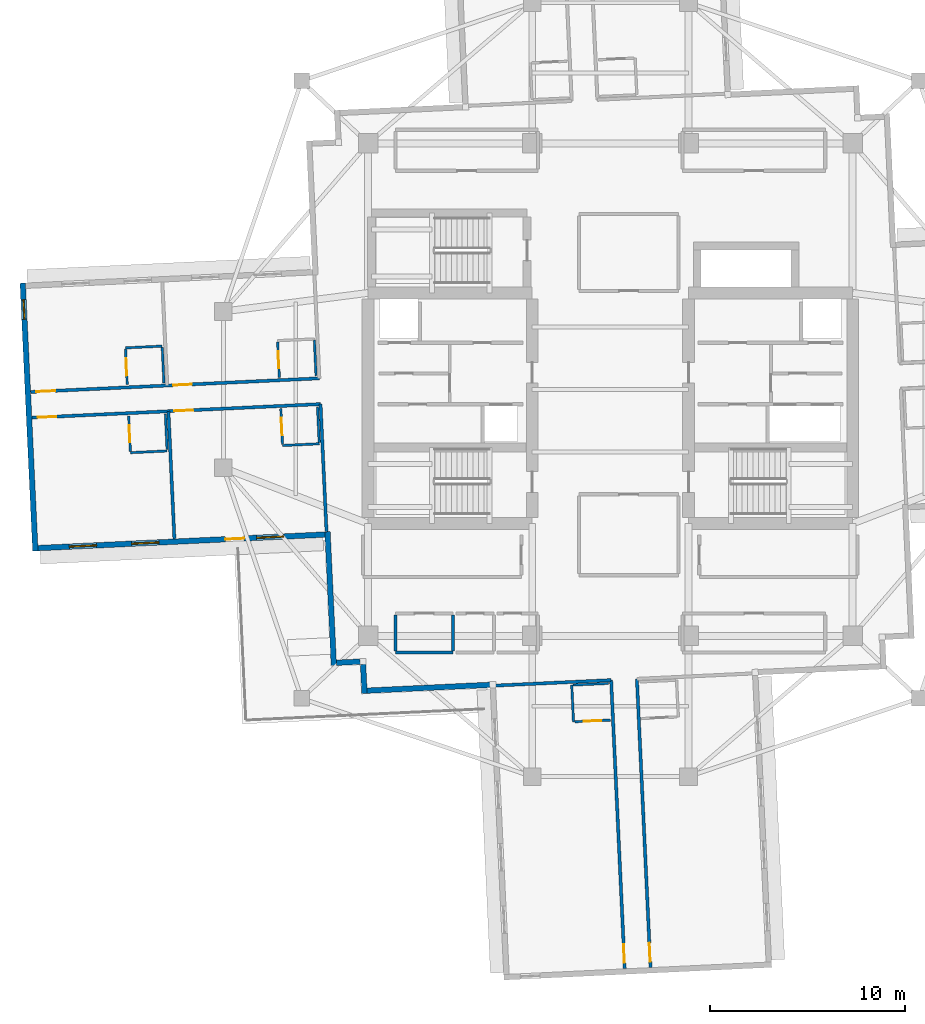
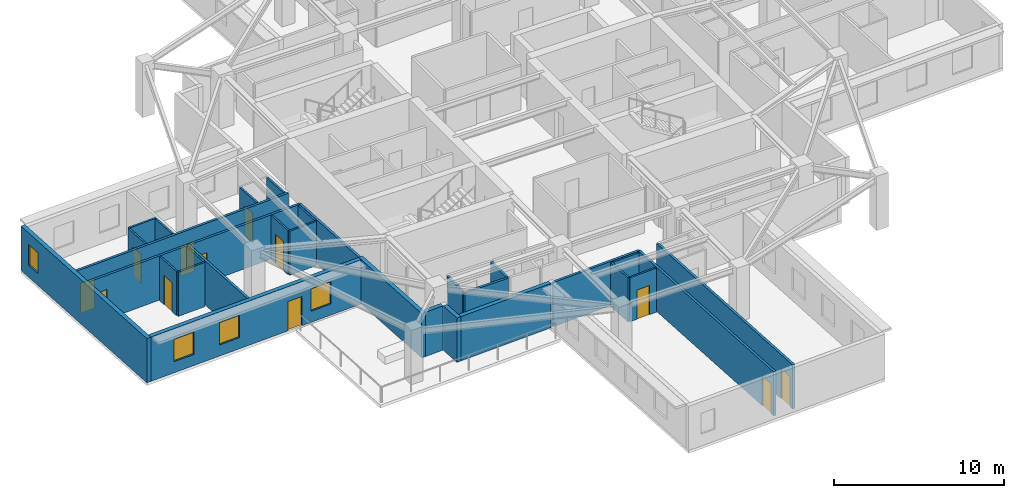
# One storey, part 3 of 12: 30 walls, 12 doors, 4 windows, 16 openings.
"""IFC4 building model written with IfcOpenShell, lengths in metres."""

from ifc_helpers import new_model, si_unit, direction, frame, frame_2d, origin, place, context, subcontext, project, spatial, rectangle, extrude, material, layer, layer_set, type_object, element, fill, save


model = new_model("IFC4")

# Units and contexts
model_context = context("Model", 3, precision=1e-05, world=origin(), true_north=direction((0.0, 1.0)))
body_context = subcontext(model_context, "Body", "Model", "MODEL_VIEW")
ifc_project = project(units=[si_unit("LENGTHUNIT", "METRE"), si_unit("AREAUNIT", "SQUARE_METRE"), si_unit("VOLUMEUNIT", "CUBIC_METRE"), si_unit("PLANEANGLEUNIT", "RADIAN"), si_unit("MASSUNIT", "GRAM", prefix="KILO")], contexts=[model_context])

# Site, building, storey
site_placement = place(None, origin())
site = spatial("IfcSite", under=ifc_project, at=site_placement, CompositionType="ELEMENT")
building_placement = place(site_placement, origin())
building = spatial("IfcBuilding", under=site, at=building_placement, Name="Qingluan Cross Belvedere", CompositionType="ELEMENT")
storey_placement = place(building_placement, frame((0.0, 0.0, 213.0)))
storey = spatial("IfcBuildingStorey", under=building, at=storey_placement, Name="L53", CompositionType="ELEMENT", Elevation=213.0)

# Walls
ifc_material_1 = material(Name="Gypsum plasterboard on steel stud acoustic partition", Category="steel")
ifc_layer_1 = layer(ifc_material_1, 0.159912109375, Name="CorridorPartition_160")
ifc_layer_set_1 = layer_set([ifc_layer_1], Name="Gypsum plasterboard on steel stud acoustic partition")
wall_type_1 = type_object("IfcWallType", Name="CorridorPartition_160", PredefinedType="PARTITIONING", material=ifc_layer_set_1)
wall_1_placement = place(storey_placement, frame((-11.0, -13.449951171875, 0.0), z_axis=(0.0, 0.0, 1.0), x_axis=(1.0, 0.0, 0.0)))
element("IfcWall", 1, at=wall_1_placement, inside=storey, type_object=wall_type_1, Name="Partition L53:q_sw_occ:S", PredefinedType="PARTITIONING", context=body_context, shape_type="SweptSolid", body=[
    extrude(rectangle(XDim=2.949951171875, YDim=0.159912109375, at=frame_2d((1.47509765625, 0.0))), origin(), (0.0, 0.0, 1.0), 3.169921875),
])
for number, where, z_axis, x_axis, name in (
    (2, (-11.0, -13.364990234375, 0.0), (0.0, 0.0, 1.0), (0.0, 1.0, 0.0), "Partition L53:q_sw_occ:W"),
    (3, (-8.050048828125, -13.364990234375, 0.0), (0.0, 0.0, 1.0), (0.0, 1.0, 0.0), "Partition L53:q_sw_occ:E"),
):
    element("IfcWall", number, at=place(storey_placement, frame(where, z_axis=z_axis, x_axis=x_axis)), inside=storey, type_object=wall_type_1, Name=name, PredefinedType="PARTITIONING", context=body_context, shape_type="SweptSolid", body=[
        extrude(rectangle(XDim=1.830078125, YDim=0.159912109375, at=frame_2d((0.9150390625, 0.0))), origin(), (0.0, 0.0, 1.0), 3.169921875),
    ])

# Wall, openings, doors
wall_2_placement = place(storey_placement, frame((-14.893798828125, 0.5791015625, 0.0), z_axis=(0.0, 0.0, 1.0), x_axis=(-0.99889000272, -0.04710374153, 0.0)))
wall_2 = element("IfcWall", 4, at=wall_2_placement, inside=storey, type_object=wall_type_1, Name="Partition L53:W:c0", PredefinedType="PARTITIONING", context=body_context, shape_type="SweptSolid", body=[
    extrude(rectangle(XDim=14.781982421875, YDim=0.159912109375, at=frame_2d((7.39111328125, 0.0))), origin(), (0.0, 0.0, 1.0), 3.169921875),
])
opening_1_placement = place(wall_2_placement, frame((6.532958984375, 0.0, 0.0)))
opening_1 = element("IfcOpeningElement", 5, at=opening_1_placement, cuts=wall_2, Name="Opening GD-10", PredefinedType="OPENING", context=body_context, shape_type="SweptSolid", body=[
    extrude(rectangle(XDim=0.9599609375, YDim=2.14990234375, at=frame_2d((0.47998046875, 1.074951171875))), frame((0.0, 0.08984375, 0.0), z_axis=(0.0, -1.0, 0.0), x_axis=(1.0, 0.0, 0.0)), (0.0, 0.0, 1.0), 0.179931640625),
])
opening_2_placement = place(wall_2_placement, frame((13.530029296875, 0.0, 0.0)))
opening_2 = element("IfcOpeningElement", 6, at=opening_2_placement, cuts=wall_2, Name="Opening GD-10", PredefinedType="OPENING", context=body_context, shape_type="SweptSolid", body=[
    extrude(rectangle(XDim=0.9599609375, YDim=2.14990234375, at=frame_2d((0.47998046875, 1.074951171875))), frame((0.0, 0.08984375, 0.0), z_axis=(0.0, -1.0, 0.0), x_axis=(1.0, 0.0, 0.0)), (0.0, 0.0, 1.0), 0.179931640625),
])
ifc_material_2 = material(Name="Timber oak fire-rated acoustic guestroom door", Category="wood")
door_type_1 = type_object("IfcDoorType", Name="GuestEntryDoor_FD60", OperationType="NOTDEFINED", PredefinedType="DOOR", material=ifc_material_2)
door_1_placement = place(opening_1_placement, origin())
door_1 = element("IfcDoor", 7, at=door_1_placement, inside=storey, type_object=door_type_1, Name="Guest entry fire door 5305", OperationType="SINGLE_SWING_RIGHT", OverallHeight=2.14990234375, OverallWidth=0.9599609375, PredefinedType="DOOR", context=body_context, shape_type="SweptSolid", body=[
    extrude(rectangle(XDim=0.9599609375, YDim=2.14990234375, at=frame_2d((0.47998046875, 1.074951171875))), frame((0.0, 0.02490234375, 0.0), z_axis=(0.0, -1.0, 0.0), x_axis=(1.0, 0.0, 0.0)), (0.0, 0.0, 1.0), 0.050048828125),
])
fill(opening_1, door_1)
door_2_placement = place(opening_2_placement, origin())
door_2 = element("IfcDoor", 8, at=door_2_placement, inside=storey, type_object=door_type_1, Name="Guest entry fire door 5306", OperationType="SINGLE_SWING_RIGHT", OverallHeight=2.14990234375, OverallWidth=0.9599609375, PredefinedType="DOOR", context=body_context, shape_type="SweptSolid", body=[
    extrude(rectangle(XDim=0.9599609375, YDim=2.14990234375, at=frame_2d((0.47998046875, 1.074951171875))), frame((0.0, 0.02490234375, 0.0), z_axis=(0.0, -1.0, 0.0), x_axis=(1.0, 0.0, 0.0)), (0.0, 0.0, 1.0), 0.050048828125),
])
fill(opening_2, door_2)

wall_3_placement = place(storey_placement, frame((-14.83154296875, -0.739501953125, 0.0), z_axis=(0.0, 0.0, 1.0), x_axis=(-0.99889000272, -0.04710374153, 0.0)))
wall_3 = element("IfcWall", 9, at=wall_3_placement, inside=storey, type_object=wall_type_1, Name="Partition L53:W:c1", PredefinedType="PARTITIONING", context=body_context, shape_type="SweptSolid", body=[
    extrude(rectangle(XDim=14.781982421875, YDim=0.159912109375, at=frame_2d((7.39111328125, 0.0))), origin(), (0.0, 0.0, 1.0), 3.169921875),
])
opening_3_placement = place(wall_3_placement, frame((6.532958984375, 0.0, 0.0)))
opening_3 = element("IfcOpeningElement", 10, at=opening_3_placement, cuts=wall_3, Name="Opening GD-10", PredefinedType="OPENING", context=body_context, shape_type="SweptSolid", body=[
    extrude(rectangle(XDim=0.9599609375, YDim=2.14990234375, at=frame_2d((0.47998046875, 1.074951171875))), frame((0.0, 0.08984375, 0.0), z_axis=(0.0, -1.0, 0.0), x_axis=(1.0, 0.0, 0.0)), (0.0, 0.0, 1.0), 0.179931640625),
])
opening_4_placement = place(wall_3_placement, frame((13.530029296875, 0.0, 0.0)))
opening_4 = element("IfcOpeningElement", 11, at=opening_4_placement, cuts=wall_3, Name="Opening GD-10", PredefinedType="OPENING", context=body_context, shape_type="SweptSolid", body=[
    extrude(rectangle(XDim=0.9599609375, YDim=2.14990234375, at=frame_2d((0.47998046875, 1.074951171875))), frame((0.0, 0.08984375, 0.0), z_axis=(0.0, -1.0, 0.0), x_axis=(1.0, 0.0, 0.0)), (0.0, 0.0, 1.0), 0.179931640625),
])
door_3_placement = place(opening_3_placement, origin())
door_3 = element("IfcDoor", 12, at=door_3_placement, inside=storey, type_object=door_type_1, Name="Guest entry fire door 5307", OperationType="SINGLE_SWING_RIGHT", OverallHeight=2.14990234375, OverallWidth=0.9599609375, PredefinedType="DOOR", context=body_context, shape_type="SweptSolid", body=[
    extrude(rectangle(XDim=0.9599609375, YDim=2.14990234375, at=frame_2d((0.47998046875, 1.074951171875))), frame((0.0, 0.02490234375, 0.0), z_axis=(0.0, -1.0, 0.0), x_axis=(1.0, 0.0, 0.0)), (0.0, 0.0, 1.0), 0.050048828125),
])
fill(opening_3, door_3)
door_4_placement = place(opening_4_placement, origin())
door_4 = element("IfcDoor", 13, at=door_4_placement, inside=storey, type_object=door_type_1, Name="Guest entry fire door 5308", OperationType="SINGLE_SWING_RIGHT", OverallHeight=2.14990234375, OverallWidth=0.9599609375, PredefinedType="DOOR", context=body_context, shape_type="SweptSolid", body=[
    extrude(rectangle(XDim=0.9599609375, YDim=2.14990234375, at=frame_2d((0.47998046875, 1.074951171875))), frame((0.0, 0.02490234375, 0.0), z_axis=(0.0, -1.0, 0.0), x_axis=(1.0, 0.0, 0.0)), (0.0, 0.0, 1.0), 0.050048828125),
])
fill(opening_4, door_4)

# Walls
wall_4_placement = place(storey_placement, frame((-14.83154296875, -0.739501953125, 0.0), z_axis=(0.0, 0.0, 1.0), x_axis=(0.047092795545, -0.99889051883, 0.0)))
element("IfcWall", 14, at=wall_4_placement, inside=storey, type_object=wall_type_1, Name="Partition L53:W:s1", PredefinedType="PARTITIONING", context=body_context, shape_type="SweptSolid", body=[
    extrude(rectangle(XDim=6.5322265625, YDim=0.159912109375, at=frame_2d((3.26611328125, 0.0))), origin(), (0.0, 0.0, 1.0), 3.169921875),
])
wall_5_placement = place(storey_placement, frame((-22.615966796875, -1.106689453125, 0.0), z_axis=(0.0, 0.0, 1.0), x_axis=(0.047094553762, -0.998890435937, 0.0)))
element("IfcWall", 15, at=wall_5_placement, inside=storey, type_object=wall_type_1, Name="Partition L53:W:d1_0", PredefinedType="PARTITIONING", context=body_context, shape_type="SweptSolid", body=[
    extrude(rectangle(XDim=6.531982421875, YDim=0.159912109375, at=frame_2d((3.26611328125, 0.0))), origin(), (0.0, 0.0, 1.0), 3.169921875),
])

# Wall, opening, door
wall_6_placement = place(storey_placement, frame((1.35888671875, -14.802490234375, 0.0), z_axis=(0.0, 0.0, 1.0), x_axis=(0.04710374153, -0.99889000272, 0.0)))
wall_6 = element("IfcWall", 16, at=wall_6_placement, inside=storey, type_object=wall_type_1, Name="Partition L53:S:c0", PredefinedType="PARTITIONING", context=body_context, shape_type="SweptSolid", body=[
    extrude(rectangle(XDim=14.781982421875, YDim=0.159912109375, at=frame_2d((7.39111328125, 0.0))), origin(), (0.0, 0.0, 1.0), 3.169921875),
])
opening_5_placement = place(wall_6_placement, frame((13.530029296875, 0.0, 0.0)))
opening_5 = element("IfcOpeningElement", 17, at=opening_5_placement, cuts=wall_6, Name="Opening GD-10", PredefinedType="OPENING", context=body_context, shape_type="SweptSolid", body=[
    extrude(rectangle(XDim=0.9599609375, YDim=2.14990234375, at=frame_2d((0.47998046875, 1.074951171875))), frame((0.0, 0.08984375, 0.0), z_axis=(0.0, -1.0, 0.0), x_axis=(1.0, 0.0, 0.0)), (0.0, 0.0, 1.0), 0.179931640625),
])
door_5_placement = place(opening_5_placement, origin())
door_5 = element("IfcDoor", 18, at=door_5_placement, inside=storey, type_object=door_type_1, Name="Guest entry fire door 5313", OperationType="SINGLE_SWING_RIGHT", OverallHeight=2.14990234375, OverallWidth=0.9599609375, PredefinedType="DOOR", context=body_context, shape_type="SweptSolid", body=[
    extrude(rectangle(XDim=0.9599609375, YDim=2.14990234375, at=frame_2d((0.47998046875, 1.074951171875))), frame((0.0, 0.02490234375, 0.0), z_axis=(0.0, -1.0, 0.0), x_axis=(1.0, 0.0, 0.0)), (0.0, 0.0, 1.0), 0.050048828125),
])
fill(opening_5, door_5)

wall_7_placement = place(storey_placement, frame((0.040283203125, -14.864501953125, 0.0), z_axis=(0.0, 0.0, 1.0), x_axis=(0.04710374153, -0.99889000272, 0.0)))
wall_7 = element("IfcWall", 19, at=wall_7_placement, inside=storey, type_object=wall_type_1, Name="Partition L53:S:c1", PredefinedType="PARTITIONING", context=body_context, shape_type="SweptSolid", body=[
    extrude(rectangle(XDim=14.781982421875, YDim=0.159912109375, at=frame_2d((7.39111328125, 0.0))), origin(), (0.0, 0.0, 1.0), 3.169921875),
])
opening_6_placement = place(wall_7_placement, frame((13.530029296875, 0.0, 0.0)))
opening_6 = element("IfcOpeningElement", 20, at=opening_6_placement, cuts=wall_7, Name="Opening GD-10", PredefinedType="OPENING", context=body_context, shape_type="SweptSolid", body=[
    extrude(rectangle(XDim=0.9599609375, YDim=2.14990234375, at=frame_2d((0.47998046875, 1.074951171875))), frame((0.0, 0.08984375, 0.0), z_axis=(0.0, -1.0, 0.0), x_axis=(1.0, 0.0, 0.0)), (0.0, 0.0, 1.0), 0.179931640625),
])
door_6_placement = place(opening_6_placement, origin())
door_6 = element("IfcDoor", 21, at=door_6_placement, inside=storey, type_object=door_type_1, Name="Guest entry fire door 5314", OperationType="SINGLE_SWING_RIGHT", OverallHeight=2.14990234375, OverallWidth=0.9599609375, PredefinedType="DOOR", context=body_context, shape_type="SweptSolid", body=[
    extrude(rectangle(XDim=0.9599609375, YDim=2.14990234375, at=frame_2d((0.47998046875, 1.074951171875))), frame((0.0, 0.02490234375, 0.0), z_axis=(0.0, -1.0, 0.0), x_axis=(1.0, 0.0, 0.0)), (0.0, 0.0, 1.0), 0.050048828125),
])
fill(opening_6, door_6)

# Wall
wall_8_placement = place(storey_placement, frame((0.040283203125, -14.864501953125, 0.0), z_axis=(0.0, 0.0, 1.0), x_axis=(-0.998888462901, -0.047136383867, 0.0)))
element("IfcWall", 22, at=wall_8_placement, inside=storey, type_object=wall_type_1, Name="Partition L53:S:s1", PredefinedType="PARTITIONING", context=body_context, shape_type="SweptSolid", body=[
    extrude(rectangle(XDim=6.06005859375, YDim=0.159912109375, at=frame_2d((3.030029296875, 0.0))), origin(), (0.0, 0.0, 1.0), 3.169921875),
])

# Wall, opening, door
ifc_material_3 = material(Name="Moisture-resistant gypsum board lining")
ifc_layer_2 = layer(ifc_material_3, 0.1201171875, Name="EnsuiteWetPartition_120")
ifc_layer_set_2 = layer_set([ifc_layer_2], Name="Moisture-resistant gypsum board lining")
wall_type_2 = type_object("IfcWallType", Name="EnsuiteWetPartition_120", PredefinedType="PARTITIONING", material=ifc_layer_set_2)
wall_9_placement = place(storey_placement, frame((-16.93798828125, 0.622802734375, 0.0), z_axis=(0.0, 0.0, 1.0), x_axis=(-0.047214641863, 0.998884766924, 0.0)))
wall_9 = element("IfcWall", 23, at=wall_9_placement, inside=storey, type_object=wall_type_2, Name="Partition L53:W:bs0_0", PredefinedType="PARTITIONING", context=body_context, shape_type="SweptSolid", body=[
    extrude(rectangle(XDim=1.820068359375, YDim=0.1201171875, at=frame_2d((0.91015625, 0.0))), origin(), (0.0, 0.0, 1.0), 3.169921875),
])
opening_7_placement = place(wall_9_placement, frame((0.469970703125, 0.0, 0.0)))
opening_7 = element("IfcOpeningElement", 24, at=opening_7_placement, cuts=wall_9, Name="Opening BD-09", PredefinedType="OPENING", context=body_context, shape_type="SweptSolid", body=[
    extrude(rectangle(XDim=0.8798828125, YDim=2.10009765625, at=frame_2d((0.43994140625, 1.050048828125))), frame((0.0, 0.070068359375, 0.0), z_axis=(0.0, -1.0, 0.0), x_axis=(1.0, 0.0, 0.0)), (0.0, 0.0, 1.0), 0.14013671875),
])
ifc_material_4 = material(Name="Moisture-sealed timber en-suite door", Category="wood")
door_type_2 = type_object("IfcDoorType", Name="BathroomDoor_880", OperationType="NOTDEFINED", PredefinedType="DOOR", material=ifc_material_4)
door_7_placement = place(opening_7_placement, origin())
door_7 = element("IfcDoor", 25, at=door_7_placement, inside=storey, type_object=door_type_2, Name="Bathroom door 5305", OperationType="SINGLE_SWING_LEFT", OverallHeight=2.10009765625, OverallWidth=0.8798828125, PredefinedType="DOOR", context=body_context, shape_type="SweptSolid", body=[
    extrude(rectangle(XDim=0.8798828125, YDim=2.10009765625, at=frame_2d((0.43994140625, 1.050048828125))), frame((0.0, 0.02490234375, 0.0), z_axis=(0.0, -1.0, 0.0), x_axis=(1.0, 0.0, 0.0)), (0.0, 0.0, 1.0), 0.050048828125),
])
fill(opening_7, door_7)

# Wall
wall_10_placement = place(storey_placement, frame((-15.060302734375, 0.71142578125, 0.0), z_axis=(0.0, 0.0, 1.0), x_axis=(-0.047087116047, 0.998890786574, 0.0)))
element("IfcWall", 26, at=wall_10_placement, inside=storey, type_object=wall_type_2, Name="Partition L53:W:bw0_0", PredefinedType="PARTITIONING", context=body_context, shape_type="SweptSolid", body=[
    extrude(rectangle(XDim=1.81982421875, YDim=0.1201171875, at=frame_2d((0.909912109375, 0.0))), origin(), (0.0, 0.0, 1.0), 3.169921875),
])

# Wall, opening, door
wall_11_placement = place(storey_placement, frame((-24.722412109375, 0.255615234375, 0.0), z_axis=(0.0, 0.0, 1.0), x_axis=(-0.047080807099, 0.998891083954, 0.0)))
wall_11 = element("IfcWall", 27, at=wall_11_placement, inside=storey, type_object=wall_type_2, Name="Partition L53:W:bs0_1", PredefinedType="PARTITIONING", context=body_context, shape_type="SweptSolid", body=[
    extrude(rectangle(XDim=1.820068359375, YDim=0.1201171875, at=frame_2d((0.91015625, 0.0))), origin(), (0.0, 0.0, 1.0), 3.169921875),
])
opening_8_placement = place(wall_11_placement, frame((0.469970703125, 0.0, 0.0)))
opening_8 = element("IfcOpeningElement", 28, at=opening_8_placement, cuts=wall_11, Name="Opening BD-09", PredefinedType="OPENING", context=body_context, shape_type="SweptSolid", body=[
    extrude(rectangle(XDim=0.8798828125, YDim=2.10009765625, at=frame_2d((0.43994140625, 1.050048828125))), frame((0.0, 0.070068359375, 0.0), z_axis=(0.0, -1.0, 0.0), x_axis=(1.0, 0.0, 0.0)), (0.0, 0.0, 1.0), 0.14013671875),
])
door_8_placement = place(opening_8_placement, origin())
door_8 = element("IfcDoor", 29, at=door_8_placement, inside=storey, type_object=door_type_2, Name="Bathroom door 5306", OperationType="SINGLE_SWING_LEFT", OverallHeight=2.10009765625, OverallWidth=0.8798828125, PredefinedType="DOOR", context=body_context, shape_type="SweptSolid", body=[
    extrude(rectangle(XDim=0.8798828125, YDim=2.10009765625, at=frame_2d((0.43994140625, 1.050048828125))), frame((0.0, 0.02490234375, 0.0), z_axis=(0.0, -1.0, 0.0), x_axis=(1.0, 0.0, 0.0)), (0.0, 0.0, 1.0), 0.050048828125),
])
fill(opening_8, door_8)

# Walls
wall_12_placement = place(storey_placement, frame((-22.844482421875, 0.34423828125, 0.0), z_axis=(0.0, 0.0, 1.0), x_axis=(-0.047220968666, 0.998884467853, 0.0)))
element("IfcWall", 30, at=wall_12_placement, inside=storey, type_object=wall_type_2, Name="Partition L53:W:bw0_1", PredefinedType="PARTITIONING", context=body_context, shape_type="SweptSolid", body=[
    extrude(rectangle(XDim=1.81982421875, YDim=0.1201171875, at=frame_2d((0.909912109375, 0.0))), origin(), (0.0, 0.0, 1.0), 3.169921875),
])
wall_13_placement = place(storey_placement, frame((-22.933349609375, 2.227294921875, 0.0), z_axis=(0.0, 0.0, 1.0), x_axis=(-0.998888319371, -0.047139425368, 0.0)))
element("IfcWall", 31, at=wall_13_placement, inside=storey, type_object=wall_type_2, Name="Partition L53:W:bn0_1", PredefinedType="PARTITIONING", context=body_context, shape_type="SweptSolid", body=[
    extrude(rectangle(XDim=1.880126953125, YDim=0.1201171875, at=frame_2d((0.93994140625, 0.0))), origin(), (0.0, 0.0, 1.0), 3.169921875),
])

# Wall, opening, door
wall_14_placement = place(storey_placement, frame((-16.777099609375, -2.79345703125, 0.0), z_axis=(0.0, 0.0, 1.0), x_axis=(-0.047080807099, 0.998891083954, 0.0)))
wall_14 = element("IfcWall", 32, at=wall_14_placement, inside=storey, type_object=wall_type_2, Name="Partition L53:W:bs1_0", PredefinedType="PARTITIONING", context=body_context, shape_type="SweptSolid", body=[
    extrude(rectangle(XDim=1.820068359375, YDim=0.1201171875, at=frame_2d((0.91015625, 0.0))), origin(), (0.0, 0.0, 1.0), 3.169921875),
])
opening_9_placement = place(wall_14_placement, frame((0.469970703125, 0.0, 0.0)))
opening_9 = element("IfcOpeningElement", 33, at=opening_9_placement, cuts=wall_14, Name="Opening BD-09", PredefinedType="OPENING", context=body_context, shape_type="SweptSolid", body=[
    extrude(rectangle(XDim=0.8798828125, YDim=2.10009765625, at=frame_2d((0.43994140625, 1.050048828125))), frame((0.0, 0.070068359375, 0.0), z_axis=(0.0, -1.0, 0.0), x_axis=(1.0, 0.0, 0.0)), (0.0, 0.0, 1.0), 0.14013671875),
])
door_9_placement = place(opening_9_placement, origin())
door_9 = element("IfcDoor", 34, at=door_9_placement, inside=storey, type_object=door_type_2, Name="Bathroom door 5307", OperationType="SINGLE_SWING_LEFT", OverallHeight=2.10009765625, OverallWidth=0.8798828125, PredefinedType="DOOR", context=body_context, shape_type="SweptSolid", body=[
    extrude(rectangle(XDim=0.8798828125, YDim=2.10009765625, at=frame_2d((0.43994140625, 1.050048828125))), frame((0.0, 0.02490234375, 0.0), z_axis=(0.0, -1.0, 0.0), x_axis=(1.0, 0.0, 0.0)), (0.0, 0.0, 1.0), 0.050048828125),
])
fill(opening_9, door_9)

# Walls
wall_15_placement = place(storey_placement, frame((-14.899169921875, -2.704833984375, 0.0), z_axis=(0.0, 0.0, 1.0), x_axis=(-0.047087116047, 0.998890786574, 0.0)))
element("IfcWall", 35, at=wall_15_placement, inside=storey, type_object=wall_type_2, Name="Partition L53:W:bw1_0", PredefinedType="PARTITIONING", context=body_context, shape_type="SweptSolid", body=[
    extrude(rectangle(XDim=1.81982421875, YDim=0.1201171875, at=frame_2d((0.909912109375, 0.0))), origin(), (0.0, 0.0, 1.0), 3.169921875),
])
wall_16_placement = place(storey_placement, frame((-14.89599609375, -2.769775390625, 0.0), z_axis=(0.0, 0.0, 1.0), x_axis=(-0.998888319371, -0.047139425368, 0.0)))
element("IfcWall", 36, at=wall_16_placement, inside=storey, type_object=wall_type_2, Name="Partition L53:W:bc1_0", PredefinedType="PARTITIONING", context=body_context, shape_type="SweptSolid", body=[
    extrude(rectangle(XDim=1.880126953125, YDim=0.1201171875, at=frame_2d((0.93994140625, 0.0))), origin(), (0.0, 0.0, 1.0), 3.169921875),
])

# Wall, opening, door
wall_17_placement = place(storey_placement, frame((-24.561279296875, -3.160400390625, 0.0), z_axis=(0.0, 0.0, 1.0), x_axis=(-0.047220968666, 0.998884467853, 0.0)))
wall_17 = element("IfcWall", 37, at=wall_17_placement, inside=storey, type_object=wall_type_2, Name="Partition L53:W:bs1_1", PredefinedType="PARTITIONING", context=body_context, shape_type="SweptSolid", body=[
    extrude(rectangle(XDim=1.81982421875, YDim=0.1201171875, at=frame_2d((0.909912109375, 0.0))), origin(), (0.0, 0.0, 1.0), 3.169921875),
])
opening_10_placement = place(wall_17_placement, frame((0.469970703125, 0.0, 0.0)))
opening_10 = element("IfcOpeningElement", 38, at=opening_10_placement, cuts=wall_17, Name="Opening BD-09", PredefinedType="OPENING", context=body_context, shape_type="SweptSolid", body=[
    extrude(rectangle(XDim=0.8798828125, YDim=2.10009765625, at=frame_2d((0.43994140625, 1.050048828125))), frame((0.0, 0.070068359375, 0.0), z_axis=(0.0, -1.0, 0.0), x_axis=(1.0, 0.0, 0.0)), (0.0, 0.0, 1.0), 0.14013671875),
])
door_10_placement = place(opening_10_placement, origin())
door_10 = element("IfcDoor", 39, at=door_10_placement, inside=storey, type_object=door_type_2, Name="Bathroom door 5308", OperationType="SINGLE_SWING_LEFT", OverallHeight=2.10009765625, OverallWidth=0.8798828125, PredefinedType="DOOR", context=body_context, shape_type="SweptSolid", body=[
    extrude(rectangle(XDim=0.8798828125, YDim=2.10009765625, at=frame_2d((0.43994140625, 1.050048828125))), frame((0.0, 0.02490234375, 0.0), z_axis=(0.0, -1.0, 0.0), x_axis=(1.0, 0.0, 0.0)), (0.0, 0.0, 1.0), 0.050048828125),
])
fill(opening_10, door_10)

# Walls
wall_18_placement = place(storey_placement, frame((-22.68359375, -3.072021484375, 0.0), z_axis=(0.0, 0.0, 1.0), x_axis=(-0.047080807099, 0.998891083954, 0.0)))
element("IfcWall", 40, at=wall_18_placement, inside=storey, type_object=wall_type_2, Name="Partition L53:W:bw1_1", PredefinedType="PARTITIONING", context=body_context, shape_type="SweptSolid", body=[
    extrude(rectangle(XDim=1.820068359375, YDim=0.1201171875, at=frame_2d((0.91015625, 0.0))), origin(), (0.0, 0.0, 1.0), 3.169921875),
])
wall_19_placement = place(storey_placement, frame((-22.680419921875, -3.136962890625, 0.0), z_axis=(0.0, 0.0, 1.0), x_axis=(-0.998894425757, -0.04700985207, 0.0)))
element("IfcWall", 41, at=wall_19_placement, inside=storey, type_object=wall_type_2, Name="Partition L53:W:bc1_1", PredefinedType="PARTITIONING", context=body_context, shape_type="SweptSolid", body=[
    extrude(rectangle(XDim=1.880126953125, YDim=0.1201171875, at=frame_2d((0.93994140625, 0.0))), origin(), (0.0, 0.0, 1.0), 3.169921875),
])

# Wall, opening, door
wall_20_placement = place(storey_placement, frame((-1.821533203125, -16.99462890625, 0.0), z_axis=(0.0, 0.0, 1.0), x_axis=(0.998891083954, 0.047080807099, 0.0)))
wall_20 = element("IfcWall", 42, at=wall_20_placement, inside=storey, type_object=wall_type_2, Name="Partition L53:S:bs1_0", PredefinedType="PARTITIONING", context=body_context, shape_type="SweptSolid", body=[
    extrude(rectangle(XDim=1.820068359375, YDim=0.1201171875, at=frame_2d((0.91015625, 0.0))), origin(), (0.0, 0.0, 1.0), 3.169921875),
])
opening_11_placement = place(wall_20_placement, frame((0.469970703125, 0.0, 0.0)))
opening_11 = element("IfcOpeningElement", 43, at=opening_11_placement, cuts=wall_20, Name="Opening BD-09", PredefinedType="OPENING", context=body_context, shape_type="SweptSolid", body=[
    extrude(rectangle(XDim=0.8798828125, YDim=2.10009765625, at=frame_2d((0.43994140625, 1.050048828125))), frame((0.0, 0.070068359375, 0.0), z_axis=(0.0, -1.0, 0.0), x_axis=(1.0, 0.0, 0.0)), (0.0, 0.0, 1.0), 0.14013671875),
])
door_11_placement = place(opening_11_placement, origin())
door_11 = element("IfcDoor", 44, at=door_11_placement, inside=storey, type_object=door_type_2, Name="Bathroom door 5314", OperationType="SINGLE_SWING_LEFT", OverallHeight=2.10009765625, OverallWidth=0.8798828125, PredefinedType="DOOR", context=body_context, shape_type="SweptSolid", body=[
    extrude(rectangle(XDim=0.8798828125, YDim=2.10009765625, at=frame_2d((0.43994140625, 1.050048828125))), frame((0.0, 0.02490234375, 0.0), z_axis=(0.0, -1.0, 0.0), x_axis=(1.0, 0.0, 0.0)), (0.0, 0.0, 1.0), 0.050048828125),
])
fill(opening_11, door_11)

# Walls
wall_21_placement = place(storey_placement, frame((-1.909912109375, -15.11669921875, 0.0), z_axis=(0.0, 0.0, 1.0), x_axis=(0.998890786574, 0.047087116047, 0.0)))
element("IfcWall", 45, at=wall_21_placement, inside=storey, type_object=wall_type_2, Name="Partition L53:S:bw1_0", PredefinedType="PARTITIONING", context=body_context, shape_type="SweptSolid", body=[
    extrude(rectangle(XDim=1.81982421875, YDim=0.1201171875, at=frame_2d((0.909912109375, 0.0))), origin(), (0.0, 0.0, 1.0), 3.169921875),
])
wall_22_placement = place(storey_placement, frame((-1.97509765625, -15.119873046875, 0.0), z_axis=(0.0, 0.0, 1.0), x_axis=(0.047139425368, -0.998888319371, 0.0)))
element("IfcWall", 46, at=wall_22_placement, inside=storey, type_object=wall_type_2, Name="Partition L53:S:bc1_0", PredefinedType="PARTITIONING", context=body_context, shape_type="SweptSolid", body=[
    extrude(rectangle(XDim=1.880126953125, YDim=0.1201171875, at=frame_2d((0.93994140625, 0.0))), origin(), (0.0, 0.0, 1.0), 3.169921875),
])

# Wall, openings, windows, door
ifc_material_5 = material(Name="Precast concrete C45", Category="concrete")
ifc_layer_3 = layer(ifc_material_5, 0.280029296875, Name="PrecastFacadeWall_280")
ifc_layer_set_3 = layer_set([ifc_layer_3], Name="Precast concrete C45")
wall_type_3 = type_object("IfcWallType", Name="PrecastFacadeWall_280", PredefinedType="STANDARD", material=ifc_layer_set_3)
wall_23_placement = place(storey_placement, frame((-29.29052734375, -8.10888671875, 0.0), z_axis=(0.0, 0.0, 1.0), x_axis=(0.998889342735, 0.047117735191, 0.0)))
wall_23 = element("IfcWall", 47, at=wall_23_placement, inside=storey, type_object=wall_type_3, Name="Facade wall L53-WB", PredefinedType="STANDARD", context=body_context, shape_type="SweptSolid", body=[
    extrude(rectangle(XDim=14.699951171875, YDim=0.280029296875, at=frame_2d((7.35009765625, 0.0))), origin(), (0.0, 0.0, 1.0), 3.179931640625),
])
opening_12_placement = place(wall_23_placement, frame((1.60009765625, 0.0, 0.800048828125)))
opening_12 = element("IfcOpeningElement", 48, at=opening_12_placement, cuts=wall_23, Name="Opening W-01", PredefinedType="OPENING", context=body_context, shape_type="SweptSolid", body=[
    extrude(rectangle(XDim=1.39990234375, YDim=1.60009765625, at=frame_2d((0.699951171875, 0.800048828125))), frame((0.0, 0.14990234375, 0.0), z_axis=(0.0, -1.0, 0.0), x_axis=(1.0, 0.0, 0.0)), (0.0, 0.0, 1.0), 0.300048828125),
])
opening_13_placement = place(wall_23_placement, frame((4.800048828125, 0.0, 0.800048828125)))
opening_13 = element("IfcOpeningElement", 49, at=opening_13_placement, cuts=wall_23, Name="Opening W-01", PredefinedType="OPENING", context=body_context, shape_type="SweptSolid", body=[
    extrude(rectangle(XDim=1.39990234375, YDim=1.60009765625, at=frame_2d((0.699951171875, 0.800048828125))), frame((0.0, 0.14990234375, 0.0), z_axis=(0.0, -1.0, 0.0), x_axis=(1.0, 0.0, 0.0)), (0.0, 0.0, 1.0), 0.300048828125),
])
opening_14_placement = place(wall_23_placement, frame((11.199951171875, 0.0, 0.800048828125)))
opening_14 = element("IfcOpeningElement", 50, at=opening_14_placement, cuts=wall_23, Name="Opening W-01", PredefinedType="OPENING", context=body_context, shape_type="SweptSolid", body=[
    extrude(rectangle(XDim=1.39990234375, YDim=1.60009765625, at=frame_2d((0.699951171875, 0.800048828125))), frame((0.0, 0.14990234375, 0.0), z_axis=(0.0, -1.0, 0.0), x_axis=(1.0, 0.0, 0.0)), (0.0, 0.0, 1.0), 0.300048828125),
])
opening_15_placement = place(wall_23_placement, frame((9.60009765625, 0.0, 0.0)))
opening_15 = element("IfcOpeningElement", 51, at=opening_15_placement, cuts=wall_23, Name="Opening WD-10", PredefinedType="OPENING", context=body_context, shape_type="SweptSolid", body=[
    extrude(rectangle(XDim=0.9599609375, YDim=2.10009765625, at=frame_2d((0.47998046875, 1.050048828125))), frame((0.0, 0.14990234375, 0.0), z_axis=(0.0, -1.0, 0.0), x_axis=(1.0, 0.0, 0.0)), (0.0, 0.0, 1.0), 0.300048828125),
])
ifc_material_6 = material(Name="Thermally broken triple Low-E glass in aluminium frame", Category="aluminium")
window_type_1 = type_object("IfcWindowType", Name="TriRibbonWin_1400x1600", PartitioningType="SINGLE_PANEL", PredefinedType="WINDOW", material=ifc_material_6)
window_1_placement = place(opening_12_placement, origin())
window_1 = element("IfcWindow", 52, at=window_1_placement, inside=storey, type_object=window_type_1, Name="Ribbon window L53-WB-1", OverallHeight=1.60009765625, OverallWidth=1.39990234375, PartitioningType="SINGLE_PANEL", PredefinedType="WINDOW", context=body_context, shape_type="SweptSolid", body=[
    extrude(rectangle(XDim=1.39990234375, YDim=1.60009765625, at=frame_2d((0.699951171875, 0.800048828125))), frame((0.0, 0.030029296875, 0.0), z_axis=(0.0, -1.0, 0.0), x_axis=(1.0, 0.0, 0.0)), (0.0, 0.0, 1.0), 0.06005859375),
])
fill(opening_12, window_1)
window_2_placement = place(opening_13_placement, origin())
window_2 = element("IfcWindow", 53, at=window_2_placement, inside=storey, type_object=window_type_1, Name="Ribbon window L53-WB-2", OverallHeight=1.60009765625, OverallWidth=1.39990234375, PartitioningType="SINGLE_PANEL", PredefinedType="WINDOW", context=body_context, shape_type="SweptSolid", body=[
    extrude(rectangle(XDim=1.39990234375, YDim=1.60009765625, at=frame_2d((0.699951171875, 0.800048828125))), frame((0.0, 0.030029296875, 0.0), z_axis=(0.0, -1.0, 0.0), x_axis=(1.0, 0.0, 0.0)), (0.0, 0.0, 1.0), 0.06005859375),
])
fill(opening_13, window_2)
window_3_placement = place(opening_14_placement, origin())
window_3 = element("IfcWindow", 54, at=window_3_placement, inside=storey, type_object=window_type_1, Name="Ribbon window L53-WB-4", OverallHeight=1.60009765625, OverallWidth=1.39990234375, PartitioningType="SINGLE_PANEL", PredefinedType="WINDOW", context=body_context, shape_type="SweptSolid", body=[
    extrude(rectangle(XDim=1.39990234375, YDim=1.60009765625, at=frame_2d((0.699951171875, 0.800048828125))), frame((0.0, 0.030029296875, 0.0), z_axis=(0.0, -1.0, 0.0), x_axis=(1.0, 0.0, 0.0)), (0.0, 0.0, 1.0), 0.06005859375),
])
fill(opening_14, window_3)
ifc_material_7 = material(Name="Thermally broken aluminium and Low-E glass", Category="aluminium")
door_type_3 = type_object("IfcDoorType", Name="WinterGardenDoor_096", OperationType="NOTDEFINED", PredefinedType="DOOR", material=ifc_material_7)
door_12_placement = place(opening_15_placement, origin())
door_12 = element("IfcDoor", 55, at=door_12_placement, inside=storey, type_object=door_type_3, Name="Outdoor terrace access door L53-spi", OperationType="SINGLE_SWING_LEFT", OverallHeight=2.10009765625, OverallWidth=0.9599609375, PredefinedType="DOOR", context=body_context, shape_type="SweptSolid", body=[
    extrude(rectangle(XDim=0.9599609375, YDim=2.10009765625, at=frame_2d((0.47998046875, 1.050048828125))), frame((0.0, 0.02490234375, 0.0), z_axis=(0.0, -1.0, 0.0), x_axis=(1.0, 0.0, 0.0)), (0.0, 0.0, 1.0), 0.050048828125),
])
fill(opening_15, door_12)

# Wall, opening, window
wall_24_placement = place(storey_placement, frame((-30.070068359375, 5.44970703125, 0.0), z_axis=(0.0, 0.0, 1.0), x_axis=(0.047101845086, -0.998890092147, 0.0)))
wall_24 = element("IfcWall", 56, at=wall_24_placement, inside=storey, type_object=wall_type_3, Name="Arm tip precast facade wall L53-W", PredefinedType="STANDARD", context=body_context, shape_type="SweptSolid", body=[
    extrude(rectangle(XDim=13.719970703125, YDim=0.280029296875, at=frame_2d((6.85986328125, 0.0))), origin(), (0.0, 0.0, 1.0), 3.179931640625),
])
opening_16_placement = place(wall_24_placement, frame((0.85009765625, 0.0, 0.85009765625)))
opening_16 = element("IfcOpeningElement", 57, at=opening_16_placement, cuts=wall_24, Name="Opening W-03", PredefinedType="OPENING", context=body_context, shape_type="SweptSolid", body=[
    extrude(rectangle(XDim=1.0, YDim=1.5, at=frame_2d((0.5, 0.75))), frame((0.0, 0.14990234375, 0.0), z_axis=(0.0, -1.0, 0.0), x_axis=(1.0, 0.0, 0.0)), (0.0, 0.0, 1.0), 0.300048828125),
])
ifc_material_8 = material(Name="Thermally broken triple Low-E glass in aluminium frame", Category="aluminium")
window_type_2 = type_object("IfcWindowType", Name="TriApexWin_1000x1500", PartitioningType="SINGLE_PANEL", PredefinedType="WINDOW", material=ifc_material_8)
window_4_placement = place(opening_16_placement, origin())
window_4 = element("IfcWindow", 58, at=window_4_placement, inside=storey, type_object=window_type_2, Name="Arm tip triangular window L53-W", OverallHeight=1.5, OverallWidth=1.0, PartitioningType="SINGLE_PANEL", PredefinedType="WINDOW", context=body_context, shape_type="SweptSolid", body=[
    extrude(rectangle(XDim=1.0, YDim=1.5, at=frame_2d((0.5, 0.75))), frame((0.0, 0.030029296875, 0.0), z_axis=(0.0, -1.0, 0.0), x_axis=(1.0, 0.0, 0.0)), (0.0, 0.0, 1.0), 0.06005859375),
])
fill(opening_16, window_4)

# Walls
wall_25_placement = place(storey_placement, frame((-14.4736328125, -7.27001953125, 0.0), z_axis=(0.0, 0.0, 1.0), x_axis=(0.04712043756, -0.998889215261, 0.0)))
element("IfcWall", 59, at=wall_25_placement, inside=storey, type_object=wall_type_3, Name="Corner wall L53-SW1", PredefinedType="STANDARD", context=body_context, shape_type="SweptSolid", body=[
    extrude(rectangle(XDim=6.85986328125, YDim=0.280029296875, at=frame_2d((3.429931640625, 0.0))), origin(), (0.0, 0.0, 1.0), 3.179931640625),
])
wall_26_placement = place(storey_placement, frame((-14.01708984375, -13.975830078125, 0.0), z_axis=(0.0, 0.0, 1.0), x_axis=(0.998883930236, 0.047232339719, 0.0)))
element("IfcWall", 60, at=wall_26_placement, inside=storey, type_object=wall_type_3, Name="Corner wall L53-SW2", PredefinedType="STANDARD", context=body_context, shape_type="SweptSolid", body=[
    extrude(rectangle(XDim=1.219970703125, YDim=0.280029296875, at=frame_2d((0.60986328125, 0.0))), origin(), (0.0, 0.0, 1.0), 3.179931640625),
])
wall_27_placement = place(storey_placement, frame((-12.652099609375, -14.051513671875, 0.0), z_axis=(0.0, 0.0, 1.0), x_axis=(0.047039284441, -0.99889304018, 0.0)))
element("IfcWall", 61, at=wall_27_placement, inside=storey, type_object=wall_type_3, Name="Corner wall L53-SW3", PredefinedType="STANDARD", context=body_context, shape_type="SweptSolid", body=[
    extrude(rectangle(XDim=1.5, YDim=0.280029296875, at=frame_2d((0.75, 0.0))), origin(), (0.0, 0.0, 1.0), 3.179931640625),
])
wall_28_placement = place(storey_placement, frame((-12.4482421875, -15.403564453125, 0.0), z_axis=(0.0, 0.0, 1.0), x_axis=(0.998889082162, 0.047123258997, 0.0)))
element("IfcWall", 62, at=wall_28_placement, inside=storey, type_object=wall_type_3, Name="Corner wall L53-SW4", PredefinedType="STANDARD", context=body_context, shape_type="SweptSolid", body=[
    extrude(rectangle(XDim=6.300048828125, YDim=0.280029296875, at=frame_2d((3.14990234375, 0.0))), origin(), (0.0, 0.0, 1.0), 3.179931640625),
])

save(model, "model.ifc")
